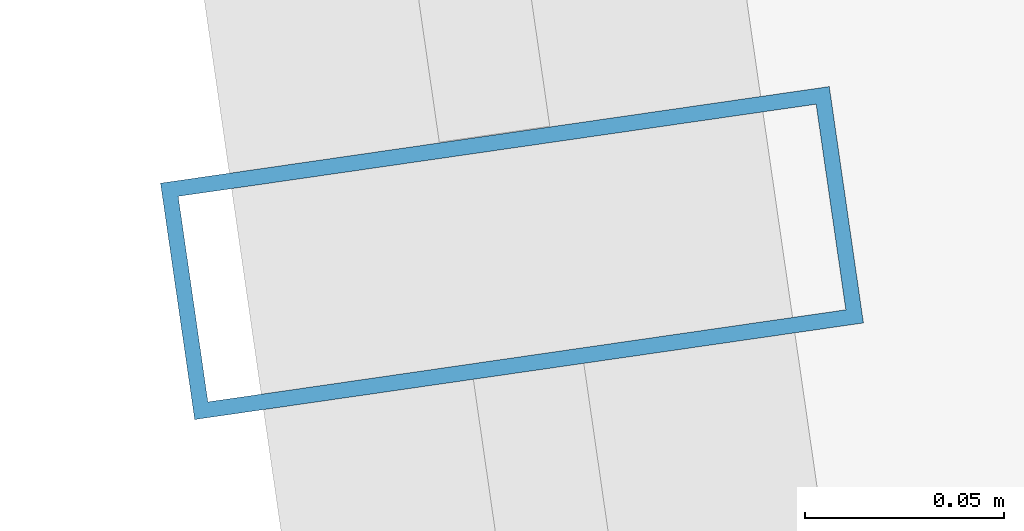
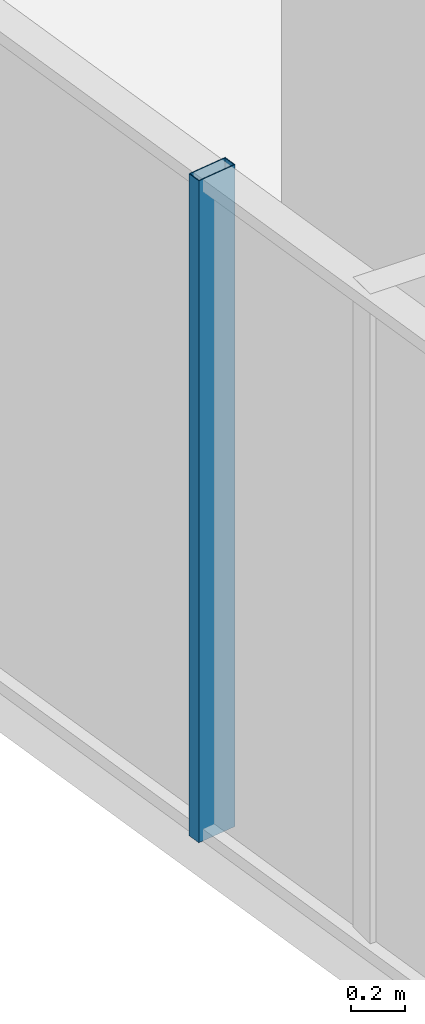
# One storey, part 8 of 34: 1 member, 1 element without a shape of its own.
"""IFC4 building model written with IfcOpenShell, lengths in metres."""

import ifcopenshell
import ifcopenshell.guid

model = None  # the IFC model being written
_history = None  # IfcOwnerHistory: only IFC2X3 demands one
_inside = {}  # id of a spatial element -> (the spatial element, [elements in it])
_under = {}  # id of a project, library or spatial element -> (it, [spatial elements below it])
_declared = {}  # id of a project -> (the project, [libraries it declares])
_typed = {}  # id of a type object -> (the type object, [elements of that type])
_made_of = {}  # id of a material, layer set ... -> (it, [elements and type objects made of it])


def new_model(schema):
    """Start an empty IFC model of exactly this schema.

    Asked for "IFC4X3", IfcOpenShell would pick the latest addendum, in which some entities
    have other attributes; the version numbers below select the first issue.
    IFC2X3 requires an IfcOwnerHistory on every rooted entity: one is made here for all.
    """
    global model, _history
    if schema == "IFC4X3":
        model = ifcopenshell.file(schema_version=(4, 3, 0, 0))
    else:
        model = ifcopenshell.file(schema=schema)
    _inside.clear()
    _under.clear()
    _declared.clear()
    _typed.clear()
    _made_of.clear()
    _history = None
    if model.schema == "IFC2X3":
        org = make("IfcOrganization", Name="unknown")
        user = make(
            "IfcPersonAndOrganization",
            ThePerson=make("IfcPerson", FamilyName="unknown"),
            TheOrganization=org,
        )
        app = make(
            "IfcApplication",
            ApplicationDeveloper=org,
            Version="unknown",
            ApplicationFullName="unknown",
            ApplicationIdentifier="unknown",
        )
        _history = make(
            "IfcOwnerHistory",
            OwningUser=user,
            OwningApplication=app,
            ChangeAction="ADDED",
            CreationDate=0,
        )
    return model


def make(cls, **values):
    """One entity of the class cls with the attributes given. An attribute that is None is left unset."""
    return model.create_entity(
        cls, **{name: value for name, value in values.items() if value is not None}
    )


def rooted(cls, **values):
    """An entity with a GlobalId (a new one), such as an element, a storey or a relation."""
    return make(cls, GlobalId=ifcopenshell.guid.new(), OwnerHistory=_history, **values)


def si_unit(unit_type, name, prefix=None):
    """IfcSIUnit, for example si_unit("LENGTHUNIT", "METRE", prefix="MILLI")."""
    return make("IfcSIUnit", UnitType=unit_type, Prefix=prefix, Name=name)


def assignment(units):
    """IfcUnitAssignment: the units of a project."""
    return None if units is None else make("IfcUnitAssignment", Units=units)


def point(xyz):
    """IfcCartesianPoint."""
    return None if xyz is None else make("IfcCartesianPoint", Coordinates=xyz)


def direction(xyz):
    """IfcDirection."""
    return None if xyz is None else make("IfcDirection", DirectionRatios=xyz)


def frame(location, z_axis=None, x_axis=None):
    """IfcAxis2Placement3D, a coordinate frame: its origin and axes. An axis left out is left unset."""
    return make(
        "IfcAxis2Placement3D",
        Location=point(location),
        Axis=direction(z_axis),
        RefDirection=direction(x_axis),
    )


def frame_2d(location, x_axis=None):
    """IfcAxis2Placement2D, a coordinate frame in the plane: its origin and x axis."""
    return make(
        "IfcAxis2Placement2D", Location=point(location), RefDirection=direction(x_axis)
    )


def origin():
    """The frame at (0, 0, 0) with its axes left unset."""
    return frame((0.0, 0.0, 0.0))


def origin_2d():
    """The frame at (0, 0) in the plane with its x axis left unset."""
    return frame_2d((0.0, 0.0))


def place(relative_to, where):
    """IfcLocalPlacement: puts the frame where relative to a parent placement (None: the world)."""
    return make(
        "IfcLocalPlacement", PlacementRelTo=relative_to, RelativePlacement=where
    )


def context(
    kind, dimensions, precision=None, world=None, true_north=None, identifier=None
):
    """IfcGeometricRepresentationContext, for example the 3D "Model" context."""
    return make(
        "IfcGeometricRepresentationContext",
        ContextIdentifier=identifier,
        ContextType=kind,
        CoordinateSpaceDimension=dimensions,
        Precision=precision,
        WorldCoordinateSystem=world,
        TrueNorth=true_north,
    )


def subcontext(parent, identifier, kind, view, scale=None):
    """IfcGeometricRepresentationSubContext, for example "Body" below "Model"."""
    return make(
        "IfcGeometricRepresentationSubContext",
        ContextIdentifier=identifier,
        ContextType=kind,
        ParentContext=parent,
        TargetScale=scale,
        TargetView=view,
    )


def project(units=None, contexts=None):
    """IfcProject with its units and contexts."""
    return rooted(
        "IfcProject",
        Name="project",
        RepresentationContexts=contexts,
        UnitsInContext=assignment(units),
    )


def spatial(cls, under=None, at=None, **own):
    """A site, building, storey or space (cls), placed at a placement, below another one or the project."""
    s = rooted(cls, ObjectPlacement=at, **own)
    if under is not None:
        _under.setdefault(under.id(), (under, []))[1].append(s)
    return s


def profile(cls, at=None, kind="AREA", **sizes):
    """A parametric profile (cls). Its sizes go by their IFC names, for example OverallWidth=200.0."""
    return make(cls, ProfileType=kind, Position=at, **sizes)


def hollow_rectangle(**sizes):
    """IfcRectangleHollowProfileDef."""
    return profile("IfcRectangleHollowProfileDef", **sizes)


def extrude(swept, where, along, depth):
    """IfcExtrudedAreaSolid: the profile swept, set in the frame where, extruded along a direction by depth."""
    return make(
        "IfcExtrudedAreaSolid",
        SweptArea=swept,
        Position=where,
        ExtrudedDirection=direction(along),
        Depth=depth,
    )


def shape(context_of_items, identifier, shape_type, items):
    """IfcShapeRepresentation: the items that make up one representation, for example the "Body"."""
    return make(
        "IfcShapeRepresentation",
        ContextOfItems=context_of_items,
        RepresentationIdentifier=identifier,
        RepresentationType=shape_type,
        Items=items,
    )


def source(mapping_origin, context_of_items, identifier, shape_type, items):
    """IfcRepresentationMap: a shape defined once, which mapped items show again and again."""
    return make(
        "IfcRepresentationMap",
        MappingOrigin=mapping_origin,
        MappedRepresentation=shape(context_of_items, identifier, shape_type, items),
    )


def transform(
    local_origin,
    x_axis=None,
    y_axis=None,
    z_axis=None,
    scale=None,
    scale2=None,
    scale3=None,
    uniform=True,
):
    """IfcCartesianTransformationOperator3D, or its non-uniform kind. x_axis, y_axis, z_axis: its Axis1, 2, 3."""
    if uniform:
        return make(
            "IfcCartesianTransformationOperator3D",
            Axis1=direction(x_axis),
            Axis2=direction(y_axis),
            LocalOrigin=point(local_origin),
            Scale=scale,
            Axis3=direction(z_axis),
        )
    return make(
        "IfcCartesianTransformationOperator3DnonUniform",
        Axis1=direction(x_axis),
        Axis2=direction(y_axis),
        LocalOrigin=point(local_origin),
        Scale=scale,
        Axis3=direction(z_axis),
        Scale2=scale2,
        Scale3=scale3,
    )


def mapped(mapping_source, mapping_target):
    """IfcMappedItem: shows the shape of a source again, moved by a transform."""
    return make(
        "IfcMappedItem", MappingSource=mapping_source, MappingTarget=mapping_target
    )


def material(Name=None, Category=None):
    """IfcMaterial."""
    return make("IfcMaterial", Name=Name, Category=Category)


def layer(
    of_material, thickness, ventilated=None, Name=None, Category=None, Priority=None
):
    """IfcMaterialLayer: one layer of a wall or slab, of a material (None: an air gap)."""
    return make(
        "IfcMaterialLayer",
        Material=of_material,
        LayerThickness=thickness,
        IsVentilated=ventilated,
        Name=Name,
        Category=Category,
        Priority=Priority,
    )


def layer_set(layers, Name=None):
    """IfcMaterialLayerSet."""
    return make("IfcMaterialLayerSet", MaterialLayers=layers, LayerSetName=Name)


def material_profile(
    of_material, cross_section, Name=None, Category=None, Priority=None
):
    """IfcMaterialProfile: a cross section and its material."""
    return make(
        "IfcMaterialProfile",
        Name=Name,
        Material=of_material,
        Profile=cross_section,
        Priority=Priority,
        Category=Category,
    )


def profile_set(profiles, Name=None, composite=None):
    """IfcMaterialProfileSet."""
    return make(
        "IfcMaterialProfileSet",
        Name=Name,
        MaterialProfiles=profiles,
        CompositeProfile=composite,
    )


def made_of(thing, what):
    """Note that an element or type object is made of a material, layer set ...; save() writes the relation."""
    if what is not None:
        _made_of.setdefault(what.id(), (what, []))[1].append(thing)
    return thing


def type_object(cls, material=None, **own):
    """A type object (cls), such as IfcWallType, which elements share."""
    return made_of(rooted(cls, **own), material)


def element(
    cls,
    number,
    at=None,
    inside=None,
    cuts=None,
    type_object=None,
    material=None,
    context=None,
    identifier="Body",
    shape_type=None,
    held_by="IfcProductDefinitionShape",
    body=None,
    shapes=None,
    **own,
):
    """One element of the class cls, such as IfcWall. Its Tag is "e" and its number.

    at: its placement. inside: the storey or other place that contains it. cuts: it is an
    opening in that element (IfcRelVoidsElement). A single representation is given by context,
    identifier, shape_type and body (its items); several are given by shapes. held_by: the class
    of the entity that holds the representations. save() writes the other relations.
    """
    e = rooted(cls, Tag="e%d" % number, ObjectPlacement=at, **own)
    if body is not None:
        shapes = [shape(context, identifier, shape_type, body)]
    if shapes is not None:
        e.Representation = make(held_by, Representations=shapes)
    if inside is not None:
        _inside.setdefault(inside.id(), (inside, []))[1].append(e)
    if cuts is not None:
        rooted(
            "IfcRelVoidsElement", RelatingBuildingElement=cuts, RelatedOpeningElement=e
        )
    if type_object is not None:
        _typed.setdefault(type_object.id(), (type_object, []))[1].append(e)
    return made_of(e, material)


def aggregate(whole, parts):
    """IfcRelAggregates: a whole, such as a stair, and the parts it consists of."""
    return rooted("IfcRelAggregates", RelatingObject=whole, RelatedObjects=parts)


def save(model, path):
    """Write the relations noted so far, then the file.

    IfcRelAggregates (storeys below a building ...), IfcRelContainedInSpatialStructure (elements
    in a storey), IfcRelDefinesByType, IfcRelAssociatesMaterial and IfcRelDeclares: one each for
    every whole, place, type object, material and project.
    """
    for whole, parts in _under.values():
        aggregate(whole, parts)
    for where, things in _inside.values():
        rooted(
            "IfcRelContainedInSpatialStructure",
            RelatedElements=things,
            RelatingStructure=where,
        )
    for kind, things in _typed.values():
        rooted("IfcRelDefinesByType", RelatedObjects=things, RelatingType=kind)
    for what, things in _made_of.values():
        rooted("IfcRelAssociatesMaterial", RelatedObjects=things, RelatingMaterial=what)
    for by, libraries in _declared.values():
        rooted("IfcRelDeclares", RelatingContext=by, RelatedDefinitions=libraries)
    model.write(path)


model = new_model("IFC4")

# Units and contexts
model_context = context("Model", 3, precision=1e-05, world=origin(), true_north=direction((0.0, 1.0)))
body_context = subcontext(model_context, "Body", "Model", "MODEL_VIEW")
ifc_project = project(units=[si_unit("LENGTHUNIT", "METRE"), si_unit("AREAUNIT", "SQUARE_METRE"), si_unit("VOLUMEUNIT", "CUBIC_METRE"), si_unit("PLANEANGLEUNIT", "RADIAN"), si_unit("MASSUNIT", "GRAM", prefix="KILO")], contexts=[model_context])

# Site, building, storey
site_placement = place(None, origin())
site = spatial("IfcSite", under=ifc_project, at=site_placement, CompositionType="ELEMENT")
building_placement = place(site_placement, origin())
building = spatial("IfcBuilding", under=site, at=building_placement, Name="Veraguas Prism Commons", CompositionType="ELEMENT")
storey_placement = place(building_placement, frame((0.0, 0.0, 155.5)))
storey = spatial("IfcBuildingStorey", under=building, at=storey_placement, Name="L44", CompositionType="ELEMENT", Elevation=155.5)

# Curtain wall, member
ifc_material = material(Name="Anodised aluminium EN AW-6063 T6", Category="aluminium")
ifc_layer = layer(ifc_material, 0.169921875, Name="Unitised Flush Curtain Wall Zone 2", Category="aluminium")
ifc_layer_set = layer_set([ifc_layer], Name="Anodised aluminium EN AW-6063 T6")
curtain_wall_type = type_object("IfcCurtainWallType", Name="Unitised Flush Curtain Wall Zone 2", PredefinedType="NOTDEFINED", material=ifc_layer_set)
curtain_wall_placement = place(storey_placement, origin())
curtain_wall = element("IfcCurtainWall", 1, at=curtain_wall_placement, inside=storey, type_object=curtain_wall_type, Name="Tower Facade Curtain Wall L44-F3", PredefinedType="NOTDEFINED")
ifc_material_profile = material_profile(ifc_material, hollow_rectangle(XDim=0.06005859375, YDim=0.169921875, WallThickness=0.00390625, at=origin_2d()), Name="AL60X170X4")
ifc_profile_set = profile_set([ifc_material_profile], Name="Anodised aluminium EN AW-6063 T6")
member_type = type_object("IfcMemberType", Name="Curtain Wall Mullion Lower AL 60x170x4", PredefinedType="MULLION", material=ifc_profile_set)
shared_shape = source(origin(), body_context, "Body", "SweptSolid", [
    extrude(hollow_rectangle(XDim=0.06005859375, YDim=0.169921875, WallThickness=0.00390625, at=origin_2d()), origin(), (0.0, 0.0, 1.0), 2.969970703125),
])
member_placement = place(storey_placement, frame((5.0146484375, 21.25732421875, 0.0), z_axis=(0.0, 0.0, 1.0), x_axis=(0.142970967293, -0.989726882787, 0.0)))
member = element("IfcMember", 2, at=member_placement, type_object=member_type, Name="CW-Z2 Mullion 3", PredefinedType="MULLION", context=body_context, shape_type="MappedRepresentation", body=[
    mapped(shared_shape, transform((0.0, 0.0, 0.0), scale=1.0)),
])
aggregate(curtain_wall, [member])

save(model, "model.ifc")
